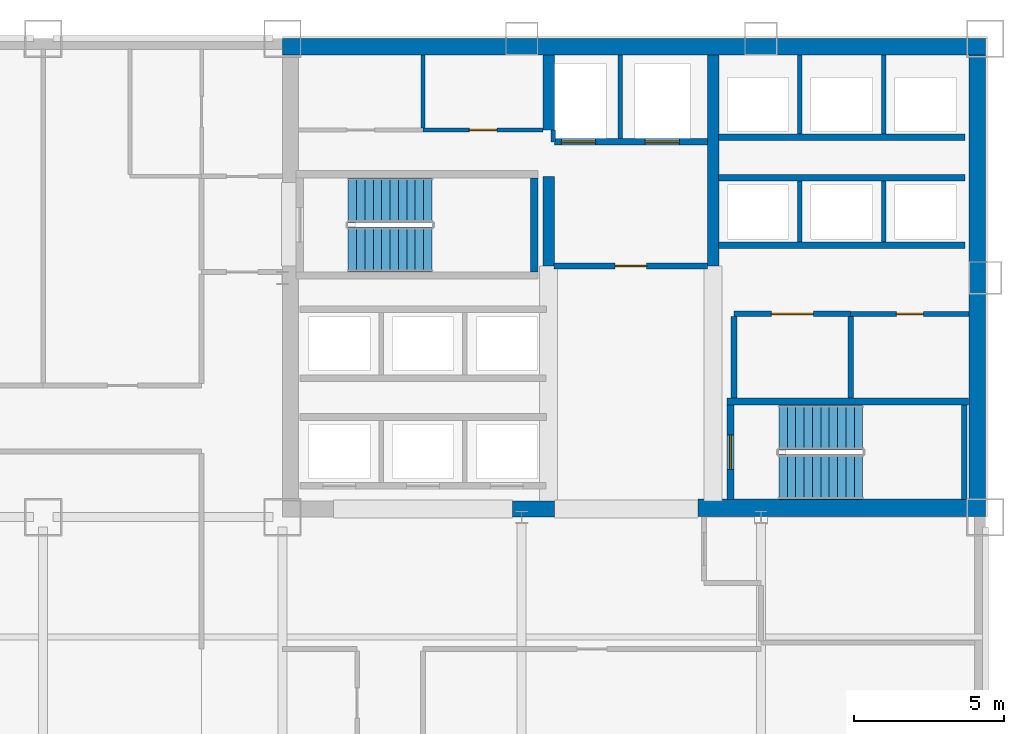
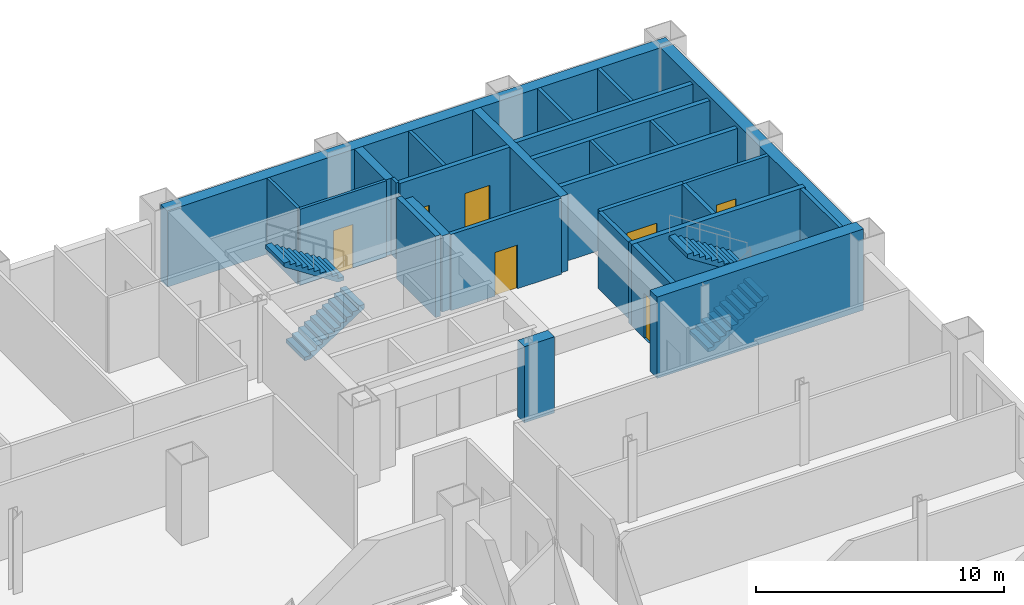
# One storey, part 7 of 9: 28 walls, 7 doors, 4 stair flights, 7 openings, 2 elements without a shape of their own.
"""IFC4 building model written with IfcOpenShell, lengths in metres."""

from ifc_helpers import new_model, si_unit, direction, frame, frame_2d, origin, place, context, subcontext, project, spatial, polyline, rectangle, outline, extrude, material, layer, layer_set, type_object, element, fill, aggregate, save


model = new_model("IFC4")

# Units and contexts
model_context = context("Model", 3, precision=1e-05, world=origin(), true_north=direction((0.0, 1.0)))
body_context = subcontext(model_context, "Body", "Model", "MODEL_VIEW")
ifc_project = project(units=[si_unit("LENGTHUNIT", "METRE"), si_unit("AREAUNIT", "SQUARE_METRE"), si_unit("VOLUMEUNIT", "CUBIC_METRE"), si_unit("PLANEANGLEUNIT", "RADIAN"), si_unit("MASSUNIT", "GRAM", prefix="KILO")], contexts=[model_context])

# Site, building, storey
site_placement = place(None, origin())
site = spatial("IfcSite", under=ifc_project, at=site_placement, CompositionType="ELEMENT")
building_placement = place(site_placement, origin())
building = spatial("IfcBuilding", under=site, at=building_placement, Name="Qianrong Seaharbour Tower", CompositionType="ELEMENT")
storey_placement = place(building_placement, frame((0.0, 0.0, 36.199951171875)))
storey = spatial("IfcBuildingStorey", under=building, at=storey_placement, Name="L08", CompositionType="ELEMENT", Elevation=36.199951171875)

# Walls
ifc_material_1 = material(Name="Concrete C70/85", Category="concrete")
ifc_layer_1 = layer(ifc_material_1, 0.5400390625)
ifc_layer_set_1 = layer_set([ifc_layer_1], Name="Concrete C70/85")
wall_type_1 = type_object("IfcWallType", Name="WALL-CORE-540", PredefinedType="SHEAR", material=ifc_layer_set_1)
wall_1_placement = place(storey_placement, frame((40.5, 51.72998046875, 0.0), z_axis=(0.0, 0.0, 1.0), x_axis=(1.0, 0.0, 0.0)))
element("IfcWall", 1, at=wall_1_placement, inside=storey, type_object=wall_type_1, Name="L08 North Core Shear Wall", PredefinedType="SHEAR", context=body_context, shape_type="SweptSolid", body=[
    extrude(rectangle(XDim=23.5, YDim=0.5400390625, at=frame_2d((11.75, 0.0))), origin(), (0.0, 0.0, 1.0), 3.75),
])
wall_2_placement = place(storey_placement, frame((63.72998046875, 36.320068359375, 0.0), z_axis=(0.0, 0.0, 1.0), x_axis=(0.0, 1.0, 0.0)))
element("IfcWall", 2, at=wall_2_placement, inside=storey, type_object=wall_type_1, Name="L08 East Core Shear Wall", PredefinedType="SHEAR", context=body_context, shape_type="SweptSolid", body=[
    extrude(rectangle(XDim=15.139892578125, YDim=0.5400390625, at=frame_2d((7.56982421875, 0.0))), origin(), (0.0, 0.0, 1.0), 3.75),
])
wall_3_placement = place(storey_placement, frame((48.199951171875, 36.27001953125, 0.0), z_axis=(0.0, 0.0, 1.0), x_axis=(1.0, 0.0, 0.0)))
element("IfcWall", 3, at=wall_3_placement, inside=storey, type_object=wall_type_1, Name="L08 South Core Shear Wall S2", PredefinedType="SHEAR", context=body_context, shape_type="SweptSolid", body=[
    extrude(rectangle(XDim=1.400146484375, YDim=0.5400390625, at=frame_2d((0.7001953125, 0.0))), origin(), (0.0, 0.0, 1.0), 3.75),
])
ifc_layer_2 = layer(ifc_material_1, 0.580078125)
ifc_layer_set_2 = layer_set([ifc_layer_2], Name="Concrete C70/85")
wall_type_2 = type_object("IfcWallType", Name="WALL-CORE-580", PredefinedType="SHEAR", material=ifc_layer_set_2)
wall_4_placement = place(storey_placement, frame((54.39990234375, 36.320068359375, 0.0), z_axis=(0.0, 0.0, 1.0), x_axis=(1.0, 0.0, 0.0)))
element("IfcWall", 4, at=wall_4_placement, inside=storey, type_object=wall_type_2, Name="L08 South Core Shear Wall S3", PredefinedType="SHEAR", context=body_context, shape_type="SweptSolid", body=[
    extrude(rectangle(XDim=9.60009765625, YDim=0.580078125, at=frame_2d((4.800048828125, 0.0))), origin(), (0.0, 0.0, 1.0), 4.0),
])
ifc_material_2 = material(Name="Concrete C60/75", Category="concrete")
ifc_layer_3 = layer(ifc_material_2, 0.3798828125)
ifc_layer_set_3 = layer_set([ifc_layer_3], Name="Concrete C60/75")
wall_type_3 = type_object("IfcWallType", Name="WALL-CORE-INT-380", PredefinedType="SHEAR", material=ifc_layer_set_3)
wall_5_placement = place(storey_placement, frame((49.39990234375, 44.39990234375, 0.0), z_axis=(0.0, 0.0, 1.0), x_axis=(0.0, 1.0, 0.0)))
element("IfcWall", 5, at=wall_5_placement, inside=storey, type_object=wall_type_3, Name="L08 Internal Core Shear Wall IW1N1", PredefinedType="SHEAR", context=body_context, shape_type="SweptSolid", body=[
    extrude(rectangle(XDim=3.0, YDim=0.3798828125, at=frame_2d((1.5, 0.0))), origin(), (0.0, 0.0, 1.0), 3.75),
])
wall_6_placement = place(storey_placement, frame((49.39990234375, 48.949951171875, 0.0), z_axis=(0.0, 0.0, 1.0), x_axis=(0.0, 1.0, 0.0)))
element("IfcWall", 6, at=wall_6_placement, inside=storey, type_object=wall_type_3, Name="L08 Internal Core Shear Wall IW1N2", PredefinedType="SHEAR", context=body_context, shape_type="SweptSolid", body=[
    extrude(rectangle(XDim=2.510009765625, YDim=0.3798828125, at=frame_2d((1.2548828125, 0.0))), origin(), (0.0, 0.0, 1.0), 3.75),
])
wall_7_placement = place(storey_placement, frame((54.89990234375, 44.39990234375, 0.0), z_axis=(0.0, 0.0, 1.0), x_axis=(0.0, 1.0, 0.0)))
element("IfcWall", 7, at=wall_7_placement, inside=storey, type_object=wall_type_3, Name="L08 Internal Core Shear Wall IW2N", PredefinedType="SHEAR", context=body_context, shape_type="SweptSolid", body=[
    extrude(rectangle(XDim=7.06005859375, YDim=0.3798828125, at=frame_2d((3.530029296875, 0.0))), origin(), (0.0, 0.0, 1.0), 3.75),
])

# Wall, opening, door
ifc_material_3 = material(Name="Fire-rated acoustic gypsum board partition")
ifc_layer_4 = layer(ifc_material_3, 0.1650390625)
ifc_layer_set_4 = layer_set([ifc_layer_4], Name="Fire-rated acoustic gypsum board partition")
wall_type_4 = type_object("IfcWallType", Name="WALL-CORR-PART-165", PredefinedType="PARTITIONING", material=ifc_layer_set_4)
wall_8_placement = place(storey_placement, frame((63.4599609375, 42.800048828125, 0.0), z_axis=(0.0, 0.0, 1.0), x_axis=(-1.0, 0.0, 0.0)))
wall_8 = element("IfcWall", 8, at=wall_8_placement, inside=storey, type_object=wall_type_4, Name="L08 Interior Partition Wall 012", PredefinedType="PARTITIONING", context=body_context, shape_type="SweptSolid", body=[
    extrude(rectangle(XDim=3.9599609375, YDim=0.1650390625, at=frame_2d((1.97998046875, 0.0))), origin(), (0.0, 0.0, 1.0), 3.75),
])
opening_1_placement = place(wall_8_placement, frame((1.530029296875, 0.0, 0.0)))
opening_1 = element("IfcOpeningElement", 9, at=opening_1_placement, cuts=wall_8, Name="Opening DS-01", PredefinedType="OPENING", context=body_context, shape_type="SweptSolid", body=[
    extrude(rectangle(XDim=0.89990234375, YDim=2.14990234375, at=frame_2d((0.449951171875, 1.074951171875))), frame((0.0, 0.092529296875, 0.0), z_axis=(0.0, -1.0, 0.0), x_axis=(1.0, 0.0, 0.0)), (0.0, 0.0, 1.0), 0.18505859375),
])
ifc_material_4 = material(Name="Acoustic timber and galvanized steel fire door assembly", Category="steel")
door_type_1 = type_object("IfcDoorType", Name="DOOR-STORE-900x2150", OperationType="NOTDEFINED", PredefinedType="DOOR", material=ifc_material_4)
door_1_placement = place(opening_1_placement, origin())
door_1 = element("IfcDoor", 10, at=door_1_placement, inside=storey, type_object=door_type_1, Name="L08 Cleaner Store Room Door", OperationType="SINGLE_SWING_LEFT", OverallHeight=2.14990234375, OverallWidth=0.89990234375, PredefinedType="DOOR", context=body_context, shape_type="SweptSolid", body=[
    extrude(rectangle(XDim=0.89990234375, YDim=2.14990234375, at=frame_2d((0.449951171875, 1.074951171875))), frame((0.0, 0.02490234375, 0.0), z_axis=(0.0, -1.0, 0.0), x_axis=(1.0, 0.0, 0.0)), (0.0, 0.0, 1.0), 0.050048828125),
])
fill(opening_1, door_1)

ifc_material_5 = material(Name="Double fire-rated gypsum board acoustic partition")
ifc_layer_5 = layer(ifc_material_5, 0.18994140625)
ifc_layer_set_5 = layer_set([ifc_layer_5], Name="Double fire-rated gypsum board acoustic partition")
wall_type_5 = type_object("IfcWallType", Name="WALL-FIRE-PART-190", PredefinedType="PARTITIONING", material=ifc_layer_set_5)
wall_9_placement = place(storey_placement, frame((54.718017578125, 44.39990234375, 0.0), z_axis=(0.0, 0.0, 1.0), x_axis=(-1.0, 0.0, 0.0)))
wall_9 = element("IfcWall", 11, at=wall_9_placement, inside=storey, type_object=wall_type_5, Name="L08 Interior Partition Wall 009", PredefinedType="PARTITIONING", context=body_context, shape_type="SweptSolid", body=[
    extrude(rectangle(XDim=5.135986328125, YDim=0.18994140625, at=frame_2d((2.56787109375, 0.0))), origin(), (0.0, 0.0, 1.0), 3.75),
])
opening_2_placement = place(wall_9_placement, frame((2.04296875, 0.0, 0.0)))
opening_2 = element("IfcOpeningElement", 12, at=opening_2_placement, cuts=wall_9, Name="Opening DC-01", PredefinedType="OPENING", context=body_context, shape_type="SweptSolid", body=[
    extrude(rectangle(XDim=1.050048828125, YDim=2.14990234375, at=frame_2d((0.52490234375, 1.074951171875))), frame((0.0, 0.10498046875, 0.0), z_axis=(0.0, -1.0, 0.0), x_axis=(1.0, 0.0, 0.0)), (0.0, 0.0, 1.0), 0.2099609375),
])
door_type_2 = type_object("IfcDoorType", Name="DOOR-CORR-FD60-1050x2150", OperationType="NOTDEFINED", PredefinedType="DOOR", material=ifc_material_4)
door_2_placement = place(opening_2_placement, origin())
door_2 = element("IfcDoor", 13, at=door_2_placement, inside=storey, type_object=door_type_2, Name="L08 Firefighting Lift Lobby Door", OperationType="SINGLE_SWING_RIGHT", OverallHeight=2.14990234375, OverallWidth=1.050048828125, PredefinedType="DOOR", context=body_context, shape_type="SweptSolid", body=[
    extrude(rectangle(XDim=1.050048828125, YDim=2.14990234375, at=frame_2d((0.52490234375, 1.074951171875))), frame((0.0, 0.02490234375, 0.0), z_axis=(0.0, -1.0, 0.0), x_axis=(1.0, 0.0, 0.0)), (0.0, 0.0, 1.0), 0.050048828125),
])
fill(opening_2, door_2)

# Wall
wall_10_placement = place(storey_placement, frame((55.60009765625, 42.712890625, 0.0), z_axis=(0.0, 0.0, 1.0), x_axis=(0.0, -1.0, 0.0)))
element("IfcWall", 14, at=wall_10_placement, inside=storey, type_object=wall_type_5, Name="L08 Interior Partition Wall 010", PredefinedType="PARTITIONING", context=body_context, shape_type="SweptSolid", body=[
    extrude(rectangle(XDim=2.73095703125, YDim=0.18994140625, at=frame_2d((1.365478515625, 0.0))), origin(), (0.0, 0.0, 1.0), 3.75),
])

# Wall, opening, door
wall_11_placement = place(storey_placement, frame((59.5, 42.800048828125, 0.0), z_axis=(0.0, 0.0, 1.0), x_axis=(-1.0, 0.0, 0.0)))
wall_11 = element("IfcWall", 15, at=wall_11_placement, inside=storey, type_object=wall_type_5, Name="L08 Interior Partition Wall 011", PredefinedType="PARTITIONING", context=body_context, shape_type="SweptSolid", body=[
    extrude(rectangle(XDim=3.89990234375, YDim=0.18994140625, at=frame_2d((1.949951171875, 0.0))), origin(), (0.0, 0.0, 1.0), 3.75),
])
opening_3_placement = place(wall_11_placement, frame((1.25, 0.0, 0.0)))
opening_3 = element("IfcOpeningElement", 16, at=opening_3_placement, cuts=wall_11, Name="Opening DP-01", PredefinedType="OPENING", context=body_context, shape_type="SweptSolid", body=[
    extrude(rectangle(XDim=1.39990234375, YDim=2.25, at=frame_2d((0.699951171875, 1.125))), frame((0.0, 0.10498046875, 0.0), z_axis=(0.0, -1.0, 0.0), x_axis=(1.0, 0.0, 0.0)), (0.0, 0.0, 1.0), 0.2099609375),
])
door_type_3 = type_object("IfcDoorType", Name="DOOR-PLANT-PAIR-1400x2250", OperationType="DOUBLE_DOOR_SINGLE_SWING", PredefinedType="DOOR", material=ifc_material_4)
door_3_placement = place(opening_3_placement, origin())
door_3 = element("IfcDoor", 17, at=door_3_placement, inside=storey, type_object=door_type_3, Name="L08 Electrical Substation Door", OperationType="DOUBLE_DOOR_SINGLE_SWING", OverallHeight=2.25, OverallWidth=1.39990234375, PredefinedType="DOOR", context=body_context, shape_type="SweptSolid", body=[
    extrude(rectangle(XDim=1.39990234375, YDim=2.25, at=frame_2d((0.699951171875, 1.125))), frame((0.0, 0.02490234375, 0.0), z_axis=(0.0, -1.0, 0.0), x_axis=(1.0, 0.0, 0.0)), (0.0, 0.0, 1.0), 0.050048828125),
])
fill(opening_3, door_3)

# Walls
wall_12_placement = place(storey_placement, frame((59.5, 42.712890625, 0.0), z_axis=(0.0, 0.0, 1.0), x_axis=(0.0, -1.0, 0.0)))
element("IfcWall", 18, at=wall_12_placement, inside=storey, type_object=wall_type_5, Name="L08 Interior Partition Wall 014", PredefinedType="PARTITIONING", context=body_context, shape_type="SweptSolid", body=[
    extrude(rectangle(XDim=2.73095703125, YDim=0.18994140625, at=frame_2d((1.365478515625, 0.0))), origin(), (0.0, 0.0, 1.0), 3.75),
])
ifc_material_6 = material(Name="Fire-rated gypsum board on steel studs", Category="steel")
ifc_layer_6 = layer(ifc_material_6, 0.14990234375)
ifc_layer_set_6 = layer_set([ifc_layer_6], Name="Fire-rated gypsum board on steel studs")
wall_type_6 = type_object("IfcWallType", Name="WALL-SHAFT-DIV-150", PredefinedType="PARTITIONING", material=ifc_layer_set_6)
wall_13_placement = place(storey_placement, frame((51.800048828125, 48.669921875, 0.0), z_axis=(0.0, 0.0, 1.0), x_axis=(0.0, 1.0, 0.0)))
element("IfcWall", 19, at=wall_13_placement, inside=storey, type_object=wall_type_6, Name="L08 Firefighting Lift Shaft Divider Wall", PredefinedType="PARTITIONING", context=body_context, shape_type="SweptSolid", body=[
    extrude(rectangle(XDim=2.7900390625, YDim=0.14990234375, at=frame_2d((1.39501953125, 0.0))), origin(), (0.0, 0.0, 1.0), 3.75),
])
wall_14_placement = place(storey_placement, frame((49.550048828125, 48.550048828125, 0.0), z_axis=(0.0, 0.0, 1.0), x_axis=(0.0, 1.0, 0.0)))
element("IfcWall", 20, at=wall_14_placement, inside=storey, type_object=wall_type_6, Name="L08 Firefighting Lift Shaft West Return Wall", PredefinedType="PARTITIONING", context=body_context, shape_type="SweptSolid", body=[
    extrude(rectangle(XDim=0.39990234375, YDim=0.14990234375, at=frame_2d((0.199951171875, 0.0))), origin(), (0.0, 0.0, 1.0), 3.75),
])
for number, where, z_axis, x_axis, name in (
    (21, (57.800048828125, 45.2099609375, 0.0), (0.0, 0.0, 1.0), (0.0, 1.0, 0.0), "L08 P3 Lift Hoistway Divider 2"),
    (22, (60.60009765625, 45.2099609375, 0.0), (0.0, 0.0, 1.0), (0.0, 1.0, 0.0), "L08 P3 Lift Hoistway Divider 3"),
):
    element("IfcWall", number, at=place(storey_placement, frame(where, z_axis=z_axis, x_axis=x_axis)), inside=storey, type_object=wall_type_6, Name=name, PredefinedType="PARTITIONING", context=body_context, shape_type="SweptSolid", body=[
        extrude(rectangle(XDim=2.030029296875, YDim=0.14990234375, at=frame_2d((1.01513671875, 0.0))), origin(), (0.0, 0.0, 1.0), 3.75),
    ])
for number, where, z_axis, x_axis, name in (
    (23, (57.800048828125, 48.81005859375, 0.0), (0.0, 0.0, 1.0), (0.0, 1.0, 0.0), "L08 P4 Lift Hoistway Divider 2"),
    (24, (60.60009765625, 48.81005859375, 0.0), (0.0, 0.0, 1.0), (0.0, 1.0, 0.0), "L08 P4 Lift Hoistway Divider 3"),
):
    element("IfcWall", number, at=place(storey_placement, frame(where, z_axis=z_axis, x_axis=x_axis)), inside=storey, type_object=wall_type_6, Name=name, PredefinedType="PARTITIONING", context=body_context, shape_type="SweptSolid", body=[
        extrude(rectangle(XDim=2.64990234375, YDim=0.14990234375, at=frame_2d((1.324951171875, 0.0))), origin(), (0.0, 0.0, 1.0), 3.75),
    ])

# Wall, openings, doors
ifc_layer_7 = layer(ifc_material_6, 0.219970703125)
ifc_layer_set_7 = layer_set([ifc_layer_7], Name="Fire-rated gypsum board on steel studs")
wall_type_7 = type_object("IfcWallType", Name="WALL-SHAFT-GYP220", PredefinedType="PARTITIONING", material=ifc_layer_set_7)
wall_15_placement = place(storey_placement, frame((54.7099609375, 48.550048828125, 0.0), z_axis=(0.0, 0.0, 1.0), x_axis=(-1.0, 0.0, 0.0)))
wall_15 = element("IfcWall", 25, at=wall_15_placement, inside=storey, type_object=wall_type_7, Name="L08 Firefighting Lift Shaft Front Wall", PredefinedType="PARTITIONING", context=body_context, shape_type="SweptSolid", body=[
    extrude(rectangle(XDim=5.119873046875, YDim=0.219970703125, at=frame_2d((2.56005859375, 0.0))), origin(), (0.0, 0.0, 1.0), 3.75),
])
opening_4_placement = place(wall_15_placement, frame((3.735107421875, 0.0, 0.0)))
opening_4 = element("IfcOpeningElement", 26, at=opening_4_placement, cuts=wall_15, Name="Opening LD-01", PredefinedType="OPENING", context=body_context, shape_type="SweptSolid", body=[
    extrude(rectangle(XDim=1.14990234375, YDim=2.199951171875, at=frame_2d((0.574951171875, 1.10009765625))), frame((0.0, 0.1201171875, 0.0), z_axis=(0.0, -1.0, 0.0), x_axis=(1.0, 0.0, 0.0)), (0.0, 0.0, 1.0), 0.239990234375),
])
opening_5_placement = place(wall_15_placement, frame((0.93505859375, 0.0, 0.0)))
opening_5 = element("IfcOpeningElement", 27, at=opening_5_placement, cuts=wall_15, Name="Opening LD-01", PredefinedType="OPENING", context=body_context, shape_type="SweptSolid", body=[
    extrude(rectangle(XDim=1.14990234375, YDim=2.199951171875, at=frame_2d((0.574951171875, 1.10009765625))), frame((0.0, 0.1201171875, 0.0), z_axis=(0.0, -1.0, 0.0), x_axis=(1.0, 0.0, 0.0)), (0.0, 0.0, 1.0), 0.239990234375),
])
ifc_material_7 = material(Name="Stainless steel SUS316L bi-parting lift landing door", Category="steel")
door_type_4 = type_object("IfcDoorType", Name="DOOR-LIFT-FF-1150x2200", OperationType="DOUBLE_DOOR_SLIDING", PredefinedType="DOOR", material=ifc_material_7)
door_4_placement = place(opening_4_placement, origin())
door_4 = element("IfcDoor", 28, at=door_4_placement, inside=storey, type_object=door_type_4, Name="L08 FL-1 Firefighting Lift Landing Door", OperationType="DOUBLE_DOOR_SLIDING", OverallHeight=2.199951171875, OverallWidth=1.14990234375, PredefinedType="DOOR", context=body_context, shape_type="SweptSolid", body=[
    extrude(rectangle(XDim=1.14990234375, YDim=2.199951171875, at=frame_2d((0.574951171875, 1.10009765625))), frame((0.0, 0.02490234375, 0.0), z_axis=(0.0, -1.0, 0.0), x_axis=(1.0, 0.0, 0.0)), (0.0, 0.0, 1.0), 0.050048828125),
])
fill(opening_4, door_4)
door_5_placement = place(opening_5_placement, origin())
door_5 = element("IfcDoor", 29, at=door_5_placement, inside=storey, type_object=door_type_4, Name="L08 FL-2 Firefighting Lift Landing Door", OperationType="DOUBLE_DOOR_SLIDING", OverallHeight=2.199951171875, OverallWidth=1.14990234375, PredefinedType="DOOR", context=body_context, shape_type="SweptSolid", body=[
    extrude(rectangle(XDim=1.14990234375, YDim=2.199951171875, at=frame_2d((0.574951171875, 1.10009765625))), frame((0.0, 0.02490234375, 0.0), z_axis=(0.0, -1.0, 0.0), x_axis=(1.0, 0.0, 0.0)), (0.0, 0.0, 1.0), 0.050048828125),
])
fill(opening_5, door_5)

# Walls
for number, where, z_axis, x_axis, name in (
    (30, (63.320068359375, 45.10009765625, 0.0), (0.0, 0.0, 1.0), (-1.0, 0.0, 0.0), "L08 P3 Lift Hoistway Front Wall"),
    (31, (55.080078125, 47.35009765625, 0.0), (0.0, 0.0, 1.0), (1.0, 0.0, 0.0), "L08 P3 Lift Hoistway Back Wall"),
    (32, (63.320068359375, 48.699951171875, 0.0), (0.0, 0.0, 1.0), (-1.0, 0.0, 0.0), "L08 P4 Lift Hoistway Front Wall"),
):
    element("IfcWall", number, at=place(storey_placement, frame(where, z_axis=z_axis, x_axis=x_axis)), inside=storey, type_object=wall_type_7, Name=name, PredefinedType="PARTITIONING", context=body_context, shape_type="SweptSolid", body=[
        extrude(rectangle(XDim=8.239990234375, YDim=0.219970703125, at=frame_2d((4.1201171875, 0.0))), origin(), (0.0, 0.0, 1.0), 3.75),
    ])
ifc_material_8 = material(Name="Concrete C50/60", Category="concrete")
ifc_layer_8 = layer(ifc_material_8, 0.239990234375)
ifc_layer_set_8 = layer_set([ifc_layer_8], Name="Concrete C50/60")
wall_type_8 = type_object("IfcWallType", Name="WALL-SHAFT-RC240", PredefinedType="SOLIDWALL", material=ifc_layer_set_8)
wall_16_placement = place(storey_placement, frame((48.919921875, 44.199951171875, 0.0), z_axis=(0.0, 0.0, 1.0), x_axis=(0.0, 1.0, 0.0)))
element("IfcWall", 33, at=wall_16_placement, inside=storey, type_object=wall_type_8, Name="L08 ST-1 Structural Stair Core Wall E", PredefinedType="SOLIDWALL", context=body_context, shape_type="SweptSolid", body=[
    extrude(rectangle(XDim=3.150146484375, YDim=0.239990234375, at=frame_2d((1.5751953125, 0.0))), origin(), (0.0, 0.0, 1.0), 4.0),
])
wall_17_placement = place(storey_placement, frame((55.360107421875, 39.8701171875, 0.0), z_axis=(0.0, 0.0, 1.0), x_axis=(1.0, 0.0, 0.0)))
element("IfcWall", 34, at=wall_17_placement, inside=storey, type_object=wall_type_8, Name="L08 ST-2 Structural Stair Core Wall N", PredefinedType="SOLIDWALL", context=body_context, shape_type="SweptSolid", body=[
    extrude(rectangle(XDim=8.079833984375, YDim=0.239990234375, at=frame_2d((4.0400390625, 0.0))), origin(), (0.0, 0.0, 1.0), 4.0),
])

# Wall, opening, door
wall_18_placement = place(storey_placement, frame((55.47998046875, 39.75, 0.0), z_axis=(0.0, 0.0, 1.0), x_axis=(0.0, -1.0, 0.0)))
wall_18 = element("IfcWall", 35, at=wall_18_placement, inside=storey, type_object=wall_type_8, Name="L08 ST-2 Structural Stair Core Wall W", PredefinedType="SOLIDWALL", context=body_context, shape_type="SweptSolid", body=[
    extrude(rectangle(XDim=3.14990234375, YDim=0.239990234375, at=frame_2d((1.574951171875, 0.0))), origin(), (0.0, 0.0, 1.0), 4.0),
])
opening_6_placement = place(wall_18_placement, frame((1.0, 0.0, 0.0)))
opening_6 = element("IfcOpeningElement", 36, at=opening_6_placement, cuts=wall_18, Name="Opening SD-01", PredefinedType="OPENING", context=body_context, shape_type="SweptSolid", body=[
    extrude(rectangle(XDim=1.14990234375, YDim=2.199951171875, at=frame_2d((0.574951171875, 1.10009765625))), frame((0.0, 0.1298828125, 0.0), z_axis=(0.0, -1.0, 0.0), x_axis=(1.0, 0.0, 0.0)), (0.0, 0.0, 1.0), 0.260009765625),
])
door_type_5 = type_object("IfcDoorType", Name="DOOR-STAIR-FD60-1150x2200", OperationType="NOTDEFINED", PredefinedType="DOOR", material=ifc_material_4)
door_6_placement = place(opening_6_placement, origin())
door_6 = element("IfcDoor", 37, at=door_6_placement, inside=storey, type_object=door_type_5, Name="L08 ST-2 Protected Stair Door", OperationType="SINGLE_SWING_LEFT", OverallHeight=2.199951171875, OverallWidth=1.14990234375, PredefinedType="DOOR", context=body_context, shape_type="SweptSolid", body=[
    extrude(rectangle(XDim=1.14990234375, YDim=2.199951171875, at=frame_2d((0.574951171875, 1.10009765625))), frame((0.0, 0.02490234375, 0.0), z_axis=(0.0, -1.0, 0.0), x_axis=(1.0, 0.0, 0.0)), (0.0, 0.0, 1.0), 0.050048828125),
])
fill(opening_6, door_6)

# Wall
wall_19_placement = place(storey_placement, frame((63.2900390625, 36.60009765625, 0.0), z_axis=(0.0, 0.0, 1.0), x_axis=(0.0, 1.0, 0.0)))
element("IfcWall", 38, at=wall_19_placement, inside=storey, type_object=wall_type_8, Name="L08 ST-2 Structural Stair Core Wall E", PredefinedType="SOLIDWALL", context=body_context, shape_type="SweptSolid", body=[
    extrude(rectangle(XDim=3.14990234375, YDim=0.179931640625, at=frame_2d((1.574951171875, 0.0))), origin(), (0.0, 0.0, 1.0), 4.0),
])

# Wall, opening, door
ifc_material_9 = material(Name="Water-resistant cement board sanitary partition")
ifc_layer_9 = layer(ifc_material_9, 0.1298828125)
ifc_layer_set_9 = layer_set([ifc_layer_9], Name="Water-resistant cement board sanitary partition")
wall_type_9 = type_object("IfcWallType", Name="WALL-WET-PART-130", PredefinedType="PARTITIONING", material=ifc_layer_set_9)
wall_20_placement = place(storey_placement, frame((45.199951171875, 48.949951171875, 0.0), z_axis=(0.0, 0.0, 1.0), x_axis=(1.0, 0.0, 0.0)))
wall_20 = element("IfcWall", 39, at=wall_20_placement, inside=storey, type_object=wall_type_9, Name="L08 Interior Partition Wall 008", PredefinedType="PARTITIONING", context=body_context, shape_type="SweptSolid", body=[
    extrude(rectangle(XDim=4.01806640625, YDim=0.1298828125, at=frame_2d((2.009033203125, 0.0))), origin(), (0.0, 0.0, 1.0), 3.75),
])
opening_7_placement = place(wall_20_placement, frame((1.549072265625, 0.0, 0.0)))
opening_7 = element("IfcOpeningElement", 40, at=opening_7_placement, cuts=wall_20, Name="Opening DW-01", PredefinedType="OPENING", context=body_context, shape_type="SweptSolid", body=[
    extrude(rectangle(XDim=0.919921875, YDim=2.14990234375, at=frame_2d((0.4599609375, 1.074951171875))), frame((0.0, 0.074951171875, 0.0), z_axis=(0.0, -1.0, 0.0), x_axis=(1.0, 0.0, 0.0)), (0.0, 0.0, 1.0), 0.14990234375),
])
door_type_6 = type_object("IfcDoorType", Name="DOOR-WC-920x2150", OperationType="NOTDEFINED", PredefinedType="DOOR", material=ifc_material_4)
door_7_placement = place(opening_7_placement, origin())
door_7 = element("IfcDoor", 41, at=door_7_placement, inside=storey, type_object=door_type_6, Name="L08 Female Restroom WC Door", OperationType="SINGLE_SWING_RIGHT", OverallHeight=2.14990234375, OverallWidth=0.919921875, PredefinedType="DOOR", context=body_context, shape_type="SweptSolid", body=[
    extrude(rectangle(XDim=0.919921875, YDim=2.14990234375, at=frame_2d((0.4599609375, 1.074951171875))), frame((0.0, 0.02490234375, 0.0), z_axis=(0.0, -1.0, 0.0), x_axis=(1.0, 0.0, 0.0)), (0.0, 0.0, 1.0), 0.050048828125),
])
fill(opening_7, door_7)

# Wall
wall_21_placement = place(storey_placement, frame((45.199951171875, 51.4599609375, 0.0), z_axis=(0.0, 0.0, 1.0), x_axis=(0.0, -1.0, 0.0)))
element("IfcWall", 42, at=wall_21_placement, inside=storey, type_object=wall_type_9, Name="L08 Interior Partition Wall 013", PredefinedType="PARTITIONING", context=body_context, shape_type="SweptSolid", body=[
    extrude(rectangle(XDim=2.452880859375, YDim=0.1298828125, at=frame_2d((1.2265625, 0.0))), origin(), (0.0, 0.0, 1.0), 3.75),
])

# Stair, stair flights
stair_type = type_object("IfcStairType", Name="STAIR-DOGLEG-1500-R22", PredefinedType="HALF_TURN_STAIR", material=ifc_material_8)
stair_1_placement = place(storey_placement, origin())
stair_1 = element("IfcStair", 43, at=stair_1_placement, inside=storey, type_object=stair_type, Name="L08 Protected Escape Stair ST-1", PredefinedType="HALF_TURN_STAIR")
stair_flight_type = type_object("IfcStairFlightType", Name="FLIGHT-STR-1500-R22", PredefinedType="STRAIGHT", material=ifc_material_8)
stair_flight_1_placement = place(storey_placement, frame((42.699951171875, 44.949951171875, 0.0), z_axis=(0.0, 0.0, 1.0), x_axis=(1.0, 0.0, 0.0)))
stair_flight_1 = element("IfcStairFlight", 44, at=stair_flight_1_placement, type_object=stair_flight_type, Name="ST-1 flight 1", NumberOfRisers=11, NumberOfTreads=10, PredefinedType="STRAIGHT", RiserHeight=0.181818182, TreadLength=0.28, context=body_context, shape_type="SweptSolid", body=[
    extrude(outline(polyline([(0.0, 0.0), (0.0, 0.181884765625), (0.280029296875, 0.181884765625), (0.280029296875, 0.363525390625), (0.56005859375, 0.363525390625), (0.56005859375, 0.54541015625), (0.840087890625, 0.54541015625), (0.840087890625, 0.727294921875), (1.1201171875, 0.727294921875), (1.1201171875, 0.9091796875), (1.39990234375, 0.9091796875), (1.39990234375, 1.0908203125), (1.679931640625, 1.0908203125), (1.679931640625, 1.272705078125), (1.9599609375, 1.272705078125), (1.9599609375, 1.45458984375), (2.239990234375, 1.45458984375), (2.239990234375, 1.636474609375), (2.52001953125, 1.636474609375), (2.52001953125, 1.818115234375), (2.800048828125, 1.818115234375), (2.800048828125, 2.0), (2.800048828125, 1.62744140625), (0.293701171875, 0.0), (0.0, 0.0)])), frame((0.0, 0.75, 0.0), z_axis=(0.0, -1.0, 0.0), x_axis=(1.0, 0.0, 0.0)), (0.0, 0.0, 1.0), 1.5),
])
stair_flight_2_placement = place(storey_placement, frame((45.5, 46.60009765625, 2.0), z_axis=(0.0, 0.0, 1.0), x_axis=(-1.0, 0.0, 0.0)))
stair_flight_2 = element("IfcStairFlight", 45, at=stair_flight_2_placement, type_object=stair_flight_type, Name="ST-1 flight 2", NumberOfRisers=11, NumberOfTreads=10, PredefinedType="STRAIGHT", RiserHeight=0.181818182, TreadLength=0.28, context=body_context, shape_type="SweptSolid", body=[
    extrude(outline(polyline([(0.0, 0.0), (0.0, 0.181884765625), (0.280029296875, 0.181884765625), (0.280029296875, 0.363525390625), (0.56005859375, 0.363525390625), (0.56005859375, 0.54541015625), (0.840087890625, 0.54541015625), (0.840087890625, 0.727294921875), (1.1201171875, 0.727294921875), (1.1201171875, 0.9091796875), (1.39990234375, 0.9091796875), (1.39990234375, 1.0908203125), (1.679931640625, 1.0908203125), (1.679931640625, 1.272705078125), (1.9599609375, 1.272705078125), (1.9599609375, 1.45458984375), (2.239990234375, 1.45458984375), (2.239990234375, 1.636474609375), (2.52001953125, 1.636474609375), (2.52001953125, 1.818115234375), (2.800048828125, 1.818115234375), (2.800048828125, 2.0), (2.800048828125, 1.62744140625), (0.293701171875, 0.0), (0.0, 0.0)])), frame((0.0, 0.75, 0.0), z_axis=(0.0, -1.0, 0.0), x_axis=(1.0, 0.0, 0.0)), (0.0, 0.0, 1.0), 1.5),
])
aggregate(stair_1, [stair_flight_1, stair_flight_2])

stair_2_placement = place(storey_placement, origin())
stair_2 = element("IfcStair", 46, at=stair_2_placement, inside=storey, type_object=stair_type, Name="L08 Protected Escape Stair ST-2", PredefinedType="HALF_TURN_STAIR")
stair_flight_3_placement = place(storey_placement, frame((57.10009765625, 37.35009765625, 0.0), z_axis=(0.0, 0.0, 1.0), x_axis=(1.0, 0.0, 0.0)))
stair_flight_3 = element("IfcStairFlight", 47, at=stair_flight_3_placement, type_object=stair_flight_type, Name="ST-2 flight 1", NumberOfRisers=11, NumberOfTreads=10, PredefinedType="STRAIGHT", RiserHeight=0.181818182, TreadLength=0.28, context=body_context, shape_type="SweptSolid", body=[
    extrude(outline(polyline([(0.0, 0.0), (0.0, 0.181884765625), (0.280029296875, 0.181884765625), (0.280029296875, 0.363525390625), (0.56005859375, 0.363525390625), (0.56005859375, 0.54541015625), (0.840087890625, 0.54541015625), (0.840087890625, 0.727294921875), (1.1201171875, 0.727294921875), (1.1201171875, 0.9091796875), (1.39990234375, 0.9091796875), (1.39990234375, 1.0908203125), (1.679931640625, 1.0908203125), (1.679931640625, 1.272705078125), (1.9599609375, 1.272705078125), (1.9599609375, 1.45458984375), (2.239990234375, 1.45458984375), (2.239990234375, 1.636474609375), (2.52001953125, 1.636474609375), (2.52001953125, 1.818115234375), (2.800048828125, 1.818115234375), (2.800048828125, 2.0), (2.800048828125, 1.62744140625), (0.293701171875, 0.0), (0.0, 0.0)])), frame((0.0, 0.75, 0.0), z_axis=(0.0, -1.0, 0.0), x_axis=(1.0, 0.0, 0.0)), (0.0, 0.0, 1.0), 1.5),
])
stair_flight_4_placement = place(storey_placement, frame((59.89990234375, 39.0, 2.0), z_axis=(0.0, 0.0, 1.0), x_axis=(-1.0, 0.0, 0.0)))
stair_flight_4 = element("IfcStairFlight", 48, at=stair_flight_4_placement, type_object=stair_flight_type, Name="ST-2 flight 2", NumberOfRisers=11, NumberOfTreads=10, PredefinedType="STRAIGHT", RiserHeight=0.181818182, TreadLength=0.28, context=body_context, shape_type="SweptSolid", body=[
    extrude(outline(polyline([(0.0, 0.0), (0.0, 0.181884765625), (0.280029296875, 0.181884765625), (0.280029296875, 0.363525390625), (0.56005859375, 0.363525390625), (0.56005859375, 0.54541015625), (0.840087890625, 0.54541015625), (0.840087890625, 0.727294921875), (1.1201171875, 0.727294921875), (1.1201171875, 0.9091796875), (1.39990234375, 0.9091796875), (1.39990234375, 1.0908203125), (1.679931640625, 1.0908203125), (1.679931640625, 1.272705078125), (1.9599609375, 1.272705078125), (1.9599609375, 1.45458984375), (2.239990234375, 1.45458984375), (2.239990234375, 1.636474609375), (2.52001953125, 1.636474609375), (2.52001953125, 1.818115234375), (2.800048828125, 1.818115234375), (2.800048828125, 2.0), (2.800048828125, 1.62744140625), (0.293701171875, 0.0), (0.0, 0.0)])), frame((0.0, 0.75, 0.0), z_axis=(0.0, -1.0, 0.0), x_axis=(1.0, 0.0, 0.0)), (0.0, 0.0, 1.0), 1.5),
])
aggregate(stair_2, [stair_flight_3, stair_flight_4])

save(model, "model.ifc")
